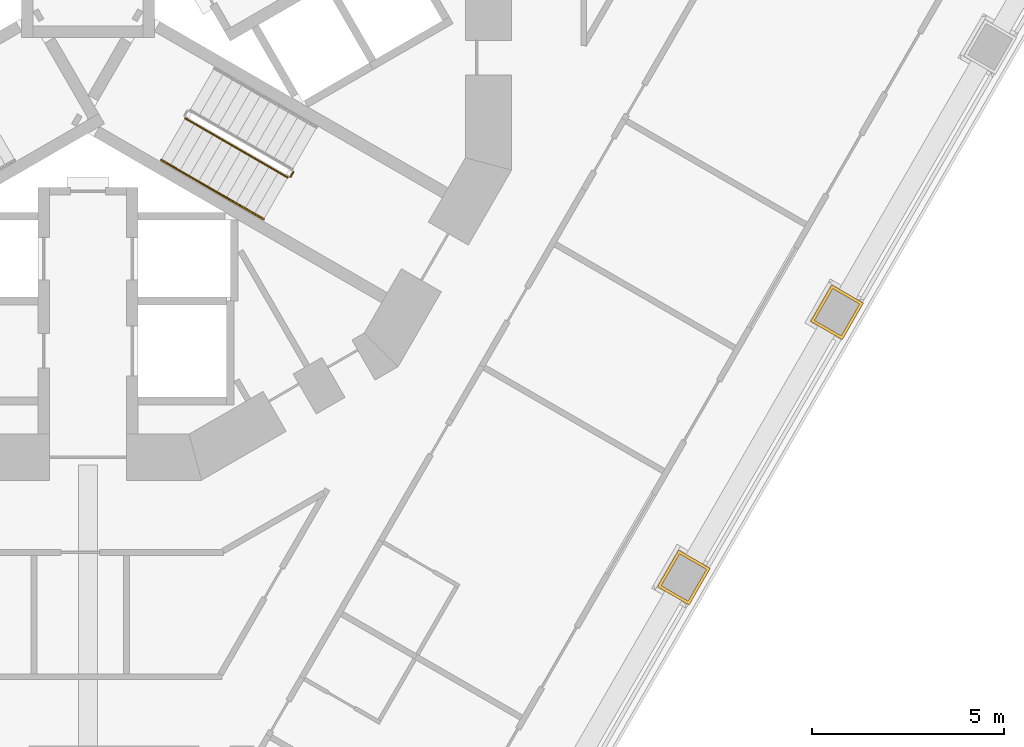
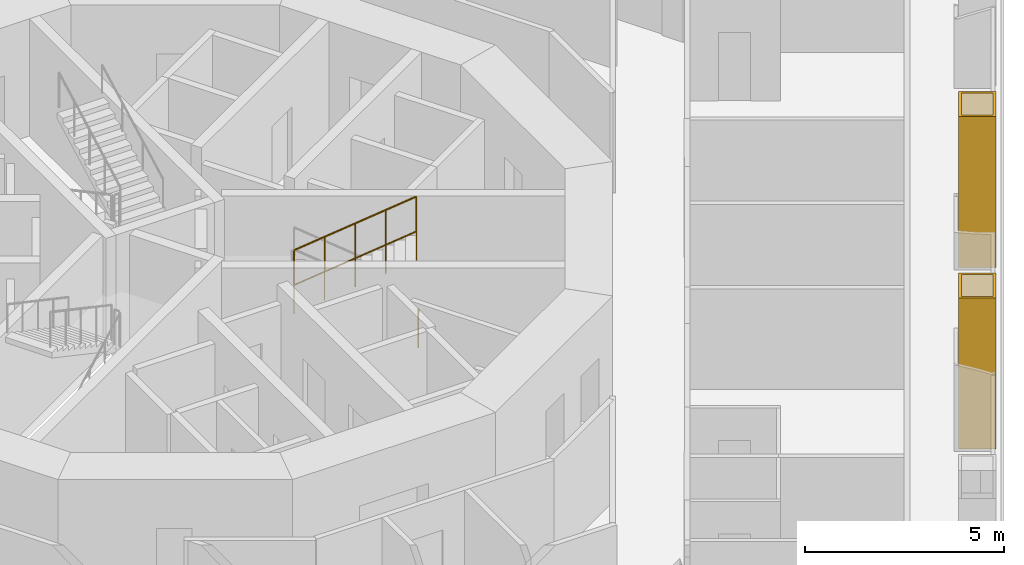
# One storey, part 14 of 19: 4 railings, 2 coverings.
"""IFC4 building model written with IfcOpenShell, lengths in metres."""

from ifc_helpers import new_model, si_unit, direction, frame, origin, origin_2d, place, context, subcontext, project, spatial, polyline, circle, outline, extrude, material, layer, layer_set, type_object, element, save


model = new_model("IFC4")

# Units and contexts
model_context = context("Model", 3, precision=1e-05, world=origin(), true_north=direction((0.0, 1.0)))
body_context = subcontext(model_context, "Body", "Model", "MODEL_VIEW")
ifc_project = project(units=[si_unit("LENGTHUNIT", "METRE"), si_unit("AREAUNIT", "SQUARE_METRE"), si_unit("VOLUMEUNIT", "CUBIC_METRE"), si_unit("PLANEANGLEUNIT", "RADIAN"), si_unit("MASSUNIT", "GRAM", prefix="KILO")], contexts=[model_context])

# Site, building, storey
site_placement = place(None, origin())
site = spatial("IfcSite", under=ifc_project, at=site_placement, CompositionType="ELEMENT")
building_placement = place(site_placement, origin())
building = spatial("IfcBuilding", under=site, at=building_placement, Name="Trine Commons Tower", CompositionType="ELEMENT")
storey_placement = place(building_placement, frame((0.0, 0.0, 42.300048828125)))
storey = spatial("IfcBuildingStorey", under=building, at=storey_placement, Name="L09", CompositionType="ELEMENT", Elevation=42.300048828125)

# Coverings
ifc_material_1 = material(Name="Limestone, honed", Category="masonry")
ifc_layer = layer(ifc_material_1, 0.074951171875)
ifc_layer_set = layer_set([ifc_layer], Name="Limestone, honed")
covering_type = type_object("IfcCoveringType", Name="Limestone column cladding 75", PredefinedType="CLADDING", material=ifc_layer_set)
covering_1_placement = place(storey_placement, origin())
element("IfcCovering", 1, at=covering_1_placement, inside=storey, type_object=covering_type, Name="Limestone pier cladding 1-20", PredefinedType="CLADDING", context=body_context, shape_type="SweptSolid", body=[
    extrude(outline(polyline([(100.15771484375, 56.0947265625), (99.334716796875, 56.569580078125), (98.784912109375, 55.6171875), (99.607666015625, 55.14208984375), (100.15771484375, 56.0947265625)]), holes=[polyline([(100.05517578125, 56.0673828125), (99.3623046875, 56.46728515625), (98.88720703125, 55.64453125), (99.580078125, 55.244384765625), (100.05517578125, 56.0673828125)])]), origin(), (0.0, 0.0, 1.0), 4.641357421875),
])
covering_2_placement = place(storey_placement, origin())
element("IfcCovering", 2, at=covering_2_placement, inside=storey, type_object=covering_type, Name="Limestone pier cladding 1-21", PredefinedType="CLADDING", context=body_context, shape_type="SweptSolid", body=[
    extrude(outline(polyline([(96.17578125, 49.1982421875), (95.35302734375, 49.67333984375), (94.802978515625, 48.720703125), (95.6259765625, 48.24560546875), (96.17578125, 49.1982421875)]), holes=[polyline([(96.073486328125, 49.1708984375), (95.380615234375, 49.57080078125), (94.905517578125, 48.748046875), (95.598388671875, 48.34814453125), (96.073486328125, 49.1708984375)])]), origin(), (0.0, 0.0, 1.0), 4.641357421875),
])

# Railings
ifc_material_2 = material(Name="Stainless steel balustrade", Category="steel")
railing_type_1 = type_object("IfcRailingType", Name="Stair guard, steel balustrade 1100", PredefinedType="GUARDRAIL", material=ifc_material_2)
railing_1_placement = place(storey_placement, frame((82.52734375, 60.896484375, 1.949951171875)))
element("IfcRailing", 3, at=railing_1_placement, inside=storey, type_object=railing_type_1, Name="L09 ST3A stair guard 3", PredefinedType="GUARDRAIL", context=body_context, shape_type="SweptSolid", body=[
    extrude(circle(Radius=0.02392578125, at=origin_2d()), frame((0.0, 0.0, 1.076171875), z_axis=(0.76340495495, -0.440743040072, 0.472184759798), x_axis=(0.499992328818, 0.866029832698, 0.0)), (0.0, 0.0, 1.0), 3.494140625),
    extrude(circle(Radius=0.02099609375, at=origin_2d()), origin(), (0.0, 0.0, 1.0), 1.052001953125),
    extrude(circle(Radius=0.02099609375, at=origin_2d()), frame((0.6669921875, -0.385009765625, 0.41259765625)), (0.0, 0.0, 1.0), 1.052001953125),
    extrude(circle(Radius=0.02099609375, at=origin_2d()), frame((1.333740234375, -0.77001953125, 0.824951171875)), (0.0, 0.0, 1.0), 1.052001953125),
    extrude(circle(Radius=0.02099609375, at=origin_2d()), frame((2.00048828125, -1.155029296875, 1.2373046875)), (0.0, 0.0, 1.0), 1.052001953125),
    extrude(circle(Radius=0.02099609375, at=origin_2d()), frame((2.66748046875, -1.5400390625, 1.64990234375)), (0.0, 0.0, 1.0), 1.052001953125),
])
railing_2_placement = place(storey_placement, frame((85.338134765625, 59.504638671875, 0.0)))
element("IfcRailing", 4, at=railing_2_placement, inside=storey, type_object=railing_type_1, Name="L09 ST3A stair guard 4", PredefinedType="GUARDRAIL", context=body_context, shape_type="SweptSolid", body=[
    extrude(circle(Radius=0.02392578125, at=origin_2d()), frame((0.0, 0.0, 1.076171875), z_axis=(-0.499816412211, -0.866131372301, 0.0), x_axis=(0.866131372301, -0.499816412211, 0.0)), (0.0, 0.0, 1.0), 0.14990234375),
    extrude(circle(Radius=0.02099609375, at=origin_2d()), origin(), (0.0, 0.0, 1.0), 1.052001953125),
    extrude(circle(Radius=0.02099609375, at=origin_2d()), frame((-0.074951171875, -0.1298828125, 0.0)), (0.0, 0.0, 1.0), 1.052001953125),
])
ifc_material_3 = material(Name="Stainless steel handrail", Category="steel")
railing_type_2 = type_object("IfcRailingType", Name="Stair handrail, steel 900", PredefinedType="HANDRAIL", material=ifc_material_3)
for number, where, name in (
    (5, (81.90234375, 59.81396484375, 1.949951171875), "L09 ST3A stair handrail 3"),
    (6, (83.236083984375, 59.0439453125, 2.77490234375), "L09 ST3A stair handrail 4"),
):
    element("IfcRailing", number, at=place(storey_placement, frame(where)), inside=storey, type_object=railing_type_2, Name=name, PredefinedType="HANDRAIL", context=body_context, shape_type="SweptSolid", body=[
        extrude(circle(Radius=0.02099609375, at=origin_2d()), frame((0.0, 0.0, 0.87890625), z_axis=(0.76340495495, -0.440743040072, 0.472184759798), x_axis=(0.499992328818, 0.866029832698, 0.0)), (0.0, 0.0, 1.0), 1.7470703125),
        extrude(circle(Radius=0.01513671875, at=origin_2d()), origin(), (0.0, 0.0, 1.0), 0.85791015625),
        extrude(circle(Radius=0.01513671875, at=origin_2d()), frame((0.6669921875, -0.385009765625, 0.41259765625)), (0.0, 0.0, 1.0), 0.85791015625),
        extrude(circle(Radius=0.01513671875, at=origin_2d()), frame((1.333740234375, -0.77001953125, 0.824951171875)), (0.0, 0.0, 1.0), 0.85791015625),
    ])

save(model, "model.ifc")
